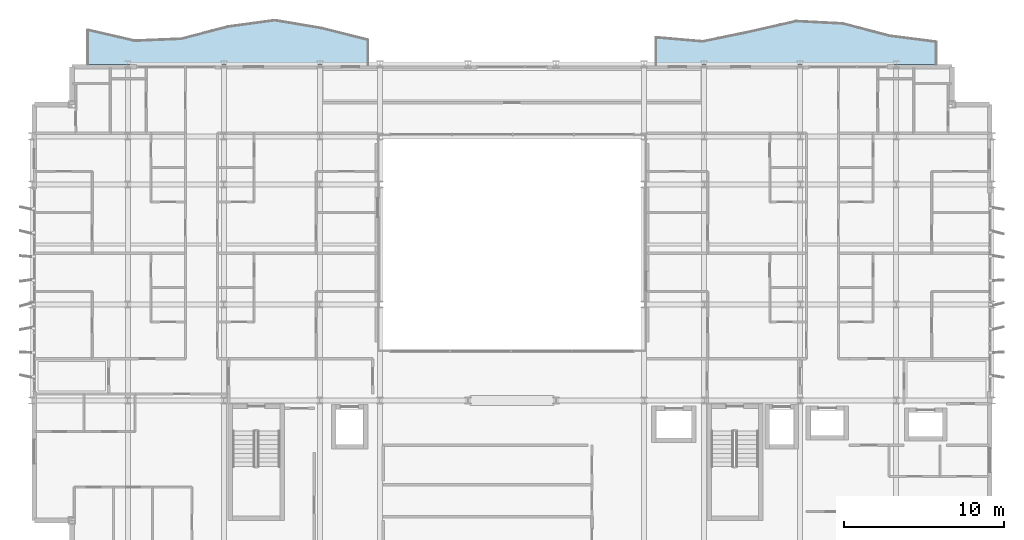
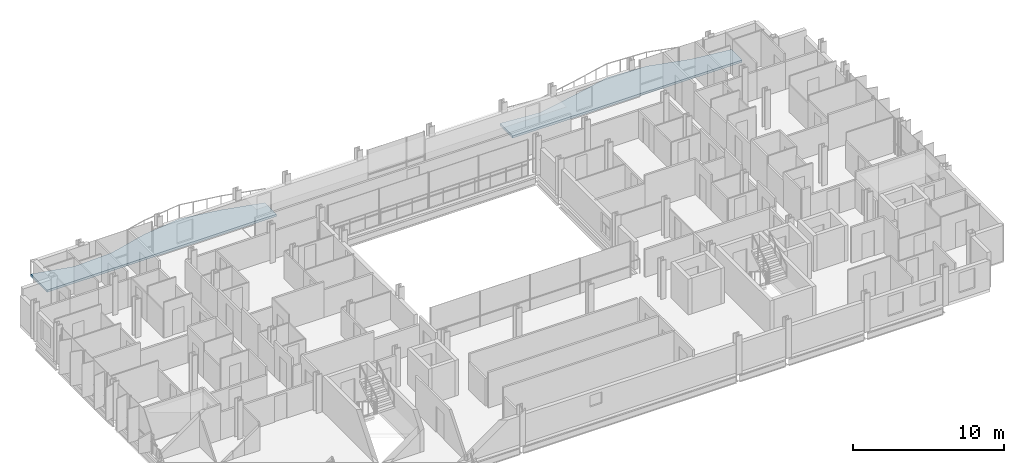
# One storey, part 25 of 39: 2 slabs.
"""IFC4 building model written with IfcOpenShell, lengths in metres."""

from ifc_helpers import new_model, si_unit, direction, frame, origin, place, context, subcontext, project, spatial, polyline, outline, extrude, material, layer, layer_set, type_object, element, save


model = new_model("IFC4")

# Units and contexts
model_context = context("Model", 3, precision=1e-05, world=origin(), true_north=direction((0.0, 1.0)))
body_context = subcontext(model_context, "Body", "Model", "MODEL_VIEW")
ifc_project = project(units=[si_unit("LENGTHUNIT", "METRE"), si_unit("AREAUNIT", "SQUARE_METRE"), si_unit("VOLUMEUNIT", "CUBIC_METRE"), si_unit("PLANEANGLEUNIT", "RADIAN"), si_unit("MASSUNIT", "GRAM", prefix="KILO")], contexts=[model_context])

# Site, building, storey
site_placement = place(None, origin())
site = spatial("IfcSite", under=ifc_project, at=site_placement, CompositionType="ELEMENT")
building_placement = place(site_placement, origin())
building = spatial("IfcBuilding", under=site, at=building_placement, Name="Brevholm Reach", CompositionType="ELEMENT")
storey_placement = place(building_placement, frame((0.0, 0.0, 83.800048828125)))
storey = spatial("IfcBuildingStorey", under=building, at=storey_placement, Name="L24", CompositionType="ELEMENT", Elevation=83.800048828125)

# Slabs
ifc_material = material(Name="Precast Concrete C40/50", Category="concrete")
ifc_layer = layer(ifc_material, 0.179931640625)
ifc_layer_set = layer_set([ifc_layer], Name="Precast Concrete C40/50")
slab_type = type_object("IfcSlabType", Name="SLB-BAL-180", PredefinedType="FLOOR", material=ifc_layer_set)
slab_1_placement = place(storey_placement, frame((0.0, 0.0, -0.179931640625)))
element("IfcSlab", 1, at=slab_1_placement, inside=storey, type_object=slab_type, Name="L24 Rippling External Balcony NE", PredefinedType="FLOOR", context=body_context, shape_type="SweptSolid", body=[
    extrude(outline(polyline([(39.0, 31.0), (56.5, 31.0), (56.5, 32.40380859375), (53.583251953125, 32.779052734375), (50.666748046875, 33.5439453125), (47.75, 33.691650390625), (44.833251953125, 33.02783203125), (41.916748046875, 32.426025390625), (39.0, 32.67822265625), (39.0, 31.0)])), origin(), (0.0, 0.0, 1.0), 0.179931640625),
])
slab_2_placement = place(storey_placement, frame((0.0, 0.0, -0.179931640625)))
element("IfcSlab", 2, at=slab_2_placement, inside=storey, type_object=slab_type, Name="L24 Rippling External Balcony NW", PredefinedType="FLOOR", context=body_context, shape_type="SweptSolid", body=[
    extrude(outline(polyline([(3.5, 31.0), (21.0, 31.0), (21.0, 32.52880859375), (18.083251953125, 33.260986328125), (15.166748046875, 33.748291015625), (12.25, 33.349609375), (9.333251953125, 32.58935546875), (6.416748046875, 32.46826171875), (3.5, 33.1455078125), (3.5, 31.0)])), origin(), (0.0, 0.0, 1.0), 0.179931640625),
])

save(model, "model.ifc")
